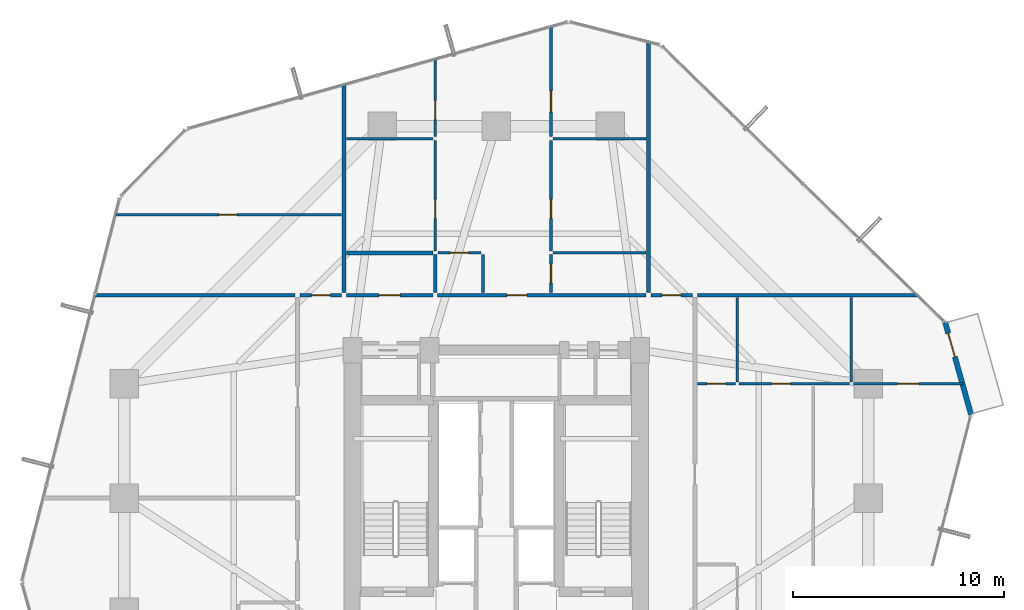
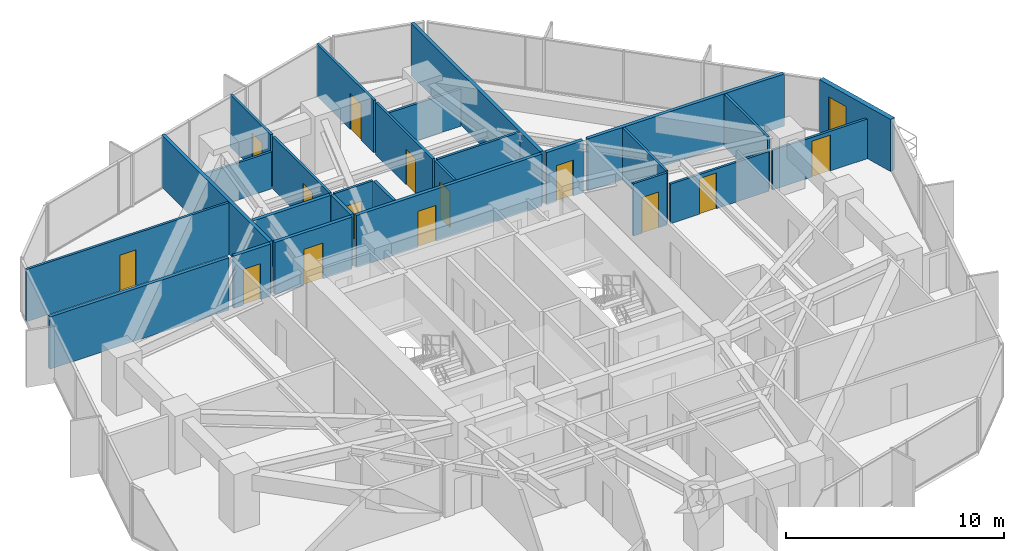
# One storey, part 36 of 39: 27 walls, 15 doors, 15 openings.
"""IFC4 building model written with IfcOpenShell, lengths in metres."""

import ifcopenshell
import ifcopenshell.guid

model = None  # the IFC model being written
_history = None  # IfcOwnerHistory: only IFC2X3 demands one
_inside = {}  # id of a spatial element -> (the spatial element, [elements in it])
_under = {}  # id of a project, library or spatial element -> (it, [spatial elements below it])
_declared = {}  # id of a project -> (the project, [libraries it declares])
_typed = {}  # id of a type object -> (the type object, [elements of that type])
_made_of = {}  # id of a material, layer set ... -> (it, [elements and type objects made of it])


def new_model(schema):
    """Start an empty IFC model of exactly this schema.

    Asked for "IFC4X3", IfcOpenShell would pick the latest addendum, in which some entities
    have other attributes; the version numbers below select the first issue.
    IFC2X3 requires an IfcOwnerHistory on every rooted entity: one is made here for all.
    """
    global model, _history
    if schema == "IFC4X3":
        model = ifcopenshell.file(schema_version=(4, 3, 0, 0))
    else:
        model = ifcopenshell.file(schema=schema)
    _inside.clear()
    _under.clear()
    _declared.clear()
    _typed.clear()
    _made_of.clear()
    _history = None
    if model.schema == "IFC2X3":
        org = make("IfcOrganization", Name="unknown")
        user = make(
            "IfcPersonAndOrganization",
            ThePerson=make("IfcPerson", FamilyName="unknown"),
            TheOrganization=org,
        )
        app = make(
            "IfcApplication",
            ApplicationDeveloper=org,
            Version="unknown",
            ApplicationFullName="unknown",
            ApplicationIdentifier="unknown",
        )
        _history = make(
            "IfcOwnerHistory",
            OwningUser=user,
            OwningApplication=app,
            ChangeAction="ADDED",
            CreationDate=0,
        )
    return model


def make(cls, **values):
    """One entity of the class cls with the attributes given. An attribute that is None is left unset."""
    return model.create_entity(
        cls, **{name: value for name, value in values.items() if value is not None}
    )


def rooted(cls, **values):
    """An entity with a GlobalId (a new one), such as an element, a storey or a relation."""
    return make(cls, GlobalId=ifcopenshell.guid.new(), OwnerHistory=_history, **values)


def si_unit(unit_type, name, prefix=None):
    """IfcSIUnit, for example si_unit("LENGTHUNIT", "METRE", prefix="MILLI")."""
    return make("IfcSIUnit", UnitType=unit_type, Prefix=prefix, Name=name)


def assignment(units):
    """IfcUnitAssignment: the units of a project."""
    return None if units is None else make("IfcUnitAssignment", Units=units)


def point(xyz):
    """IfcCartesianPoint."""
    return None if xyz is None else make("IfcCartesianPoint", Coordinates=xyz)


def direction(xyz):
    """IfcDirection."""
    return None if xyz is None else make("IfcDirection", DirectionRatios=xyz)


def frame(location, z_axis=None, x_axis=None):
    """IfcAxis2Placement3D, a coordinate frame: its origin and axes. An axis left out is left unset."""
    return make(
        "IfcAxis2Placement3D",
        Location=point(location),
        Axis=direction(z_axis),
        RefDirection=direction(x_axis),
    )


def frame_2d(location, x_axis=None):
    """IfcAxis2Placement2D, a coordinate frame in the plane: its origin and x axis."""
    return make(
        "IfcAxis2Placement2D", Location=point(location), RefDirection=direction(x_axis)
    )


def origin():
    """The frame at (0, 0, 0) with its axes left unset."""
    return frame((0.0, 0.0, 0.0))


def place(relative_to, where):
    """IfcLocalPlacement: puts the frame where relative to a parent placement (None: the world)."""
    return make(
        "IfcLocalPlacement", PlacementRelTo=relative_to, RelativePlacement=where
    )


def context(
    kind, dimensions, precision=None, world=None, true_north=None, identifier=None
):
    """IfcGeometricRepresentationContext, for example the 3D "Model" context."""
    return make(
        "IfcGeometricRepresentationContext",
        ContextIdentifier=identifier,
        ContextType=kind,
        CoordinateSpaceDimension=dimensions,
        Precision=precision,
        WorldCoordinateSystem=world,
        TrueNorth=true_north,
    )


def subcontext(parent, identifier, kind, view, scale=None):
    """IfcGeometricRepresentationSubContext, for example "Body" below "Model"."""
    return make(
        "IfcGeometricRepresentationSubContext",
        ContextIdentifier=identifier,
        ContextType=kind,
        ParentContext=parent,
        TargetScale=scale,
        TargetView=view,
    )


def project(units=None, contexts=None):
    """IfcProject with its units and contexts."""
    return rooted(
        "IfcProject",
        Name="project",
        RepresentationContexts=contexts,
        UnitsInContext=assignment(units),
    )


def spatial(cls, under=None, at=None, **own):
    """A site, building, storey or space (cls), placed at a placement, below another one or the project."""
    s = rooted(cls, ObjectPlacement=at, **own)
    if under is not None:
        _under.setdefault(under.id(), (under, []))[1].append(s)
    return s


def profile(cls, at=None, kind="AREA", **sizes):
    """A parametric profile (cls). Its sizes go by their IFC names, for example OverallWidth=200.0."""
    return make(cls, ProfileType=kind, Position=at, **sizes)


def rectangle(**sizes):
    """IfcRectangleProfileDef."""
    return profile("IfcRectangleProfileDef", **sizes)


def extrude(swept, where, along, depth):
    """IfcExtrudedAreaSolid: the profile swept, set in the frame where, extruded along a direction by depth."""
    return make(
        "IfcExtrudedAreaSolid",
        SweptArea=swept,
        Position=where,
        ExtrudedDirection=direction(along),
        Depth=depth,
    )


def shape(context_of_items, identifier, shape_type, items):
    """IfcShapeRepresentation: the items that make up one representation, for example the "Body"."""
    return make(
        "IfcShapeRepresentation",
        ContextOfItems=context_of_items,
        RepresentationIdentifier=identifier,
        RepresentationType=shape_type,
        Items=items,
    )


def source(mapping_origin, context_of_items, identifier, shape_type, items):
    """IfcRepresentationMap: a shape defined once, which mapped items show again and again."""
    return make(
        "IfcRepresentationMap",
        MappingOrigin=mapping_origin,
        MappedRepresentation=shape(context_of_items, identifier, shape_type, items),
    )


def transform(
    local_origin,
    x_axis=None,
    y_axis=None,
    z_axis=None,
    scale=None,
    scale2=None,
    scale3=None,
    uniform=True,
):
    """IfcCartesianTransformationOperator3D, or its non-uniform kind. x_axis, y_axis, z_axis: its Axis1, 2, 3."""
    if uniform:
        return make(
            "IfcCartesianTransformationOperator3D",
            Axis1=direction(x_axis),
            Axis2=direction(y_axis),
            LocalOrigin=point(local_origin),
            Scale=scale,
            Axis3=direction(z_axis),
        )
    return make(
        "IfcCartesianTransformationOperator3DnonUniform",
        Axis1=direction(x_axis),
        Axis2=direction(y_axis),
        LocalOrigin=point(local_origin),
        Scale=scale,
        Axis3=direction(z_axis),
        Scale2=scale2,
        Scale3=scale3,
    )


def mapped(mapping_source, mapping_target):
    """IfcMappedItem: shows the shape of a source again, moved by a transform."""
    return make(
        "IfcMappedItem", MappingSource=mapping_source, MappingTarget=mapping_target
    )


def material(Name=None, Category=None):
    """IfcMaterial."""
    return make("IfcMaterial", Name=Name, Category=Category)


def layer(
    of_material, thickness, ventilated=None, Name=None, Category=None, Priority=None
):
    """IfcMaterialLayer: one layer of a wall or slab, of a material (None: an air gap)."""
    return make(
        "IfcMaterialLayer",
        Material=of_material,
        LayerThickness=thickness,
        IsVentilated=ventilated,
        Name=Name,
        Category=Category,
        Priority=Priority,
    )


def layer_set(layers, Name=None):
    """IfcMaterialLayerSet."""
    return make("IfcMaterialLayerSet", MaterialLayers=layers, LayerSetName=Name)


def made_of(thing, what):
    """Note that an element or type object is made of a material, layer set ...; save() writes the relation."""
    if what is not None:
        _made_of.setdefault(what.id(), (what, []))[1].append(thing)
    return thing


def type_object(cls, material=None, **own):
    """A type object (cls), such as IfcWallType, which elements share."""
    return made_of(rooted(cls, **own), material)


def element(
    cls,
    number,
    at=None,
    inside=None,
    cuts=None,
    type_object=None,
    material=None,
    context=None,
    identifier="Body",
    shape_type=None,
    held_by="IfcProductDefinitionShape",
    body=None,
    shapes=None,
    **own,
):
    """One element of the class cls, such as IfcWall. Its Tag is "e" and its number.

    at: its placement. inside: the storey or other place that contains it. cuts: it is an
    opening in that element (IfcRelVoidsElement). A single representation is given by context,
    identifier, shape_type and body (its items); several are given by shapes. held_by: the class
    of the entity that holds the representations. save() writes the other relations.
    """
    e = rooted(cls, Tag="e%d" % number, ObjectPlacement=at, **own)
    if body is not None:
        shapes = [shape(context, identifier, shape_type, body)]
    if shapes is not None:
        e.Representation = make(held_by, Representations=shapes)
    if inside is not None:
        _inside.setdefault(inside.id(), (inside, []))[1].append(e)
    if cuts is not None:
        rooted(
            "IfcRelVoidsElement", RelatingBuildingElement=cuts, RelatedOpeningElement=e
        )
    if type_object is not None:
        _typed.setdefault(type_object.id(), (type_object, []))[1].append(e)
    return made_of(e, material)


def fill(opening, filler):
    """IfcRelFillsElement: the door or window that sits in an opening."""
    return rooted(
        "IfcRelFillsElement",
        RelatingOpeningElement=opening,
        RelatedBuildingElement=filler,
    )


def aggregate(whole, parts):
    """IfcRelAggregates: a whole, such as a stair, and the parts it consists of."""
    return rooted("IfcRelAggregates", RelatingObject=whole, RelatedObjects=parts)


def save(model, path):
    """Write the relations noted so far, then the file.

    IfcRelAggregates (storeys below a building ...), IfcRelContainedInSpatialStructure (elements
    in a storey), IfcRelDefinesByType, IfcRelAssociatesMaterial and IfcRelDeclares: one each for
    every whole, place, type object, material and project.
    """
    for whole, parts in _under.values():
        aggregate(whole, parts)
    for where, things in _inside.values():
        rooted(
            "IfcRelContainedInSpatialStructure",
            RelatedElements=things,
            RelatingStructure=where,
        )
    for kind, things in _typed.values():
        rooted("IfcRelDefinesByType", RelatedObjects=things, RelatingType=kind)
    for what, things in _made_of.values():
        rooted("IfcRelAssociatesMaterial", RelatedObjects=things, RelatingMaterial=what)
    for by, libraries in _declared.values():
        rooted("IfcRelDeclares", RelatingContext=by, RelatedDefinitions=libraries)
    model.write(path)


model = new_model("IFC4")

# Units and contexts
model_context = context("Model", 3, precision=1e-05, world=origin(), true_north=direction((0.0, 1.0)))
body_context = subcontext(model_context, "Body", "Model", "MODEL_VIEW")
ifc_project = project(units=[si_unit("LENGTHUNIT", "METRE"), si_unit("AREAUNIT", "SQUARE_METRE"), si_unit("VOLUMEUNIT", "CUBIC_METRE"), si_unit("PLANEANGLEUNIT", "RADIAN"), si_unit("MASSUNIT", "GRAM", prefix="KILO")], contexts=[model_context])

# Site, building, storey
site_placement = place(None, origin())
site = spatial("IfcSite", under=ifc_project, at=site_placement, CompositionType="ELEMENT")
building_placement = place(site_placement, origin())
building = spatial("IfcBuilding", under=site, at=building_placement, Name="Veraguas Prism Commons", CompositionType="ELEMENT")
storey_placement = place(building_placement, frame((0.0, 0.0, 77.10009765625)))
storey = spatial("IfcBuildingStorey", under=building, at=storey_placement, Name="L21", CompositionType="ELEMENT", Elevation=77.10009765625)

# Walls
ifc_material_1 = material(Name="Autoclaved aerated masonry block 10 MPa", Category="masonry")
ifc_layer_1 = layer(ifc_material_1, 0.179931640625, Name="Corridor and Inter-Tenancy Partition 180", Category="masonry")
ifc_layer_set_1 = layer_set([ifc_layer_1], Name="Autoclaved aerated masonry block 10 MPa")
wall_type_1 = type_object("IfcWallType", Name="Corridor and Inter-Tenancy Partition 180", PredefinedType="PARTITIONING", material=ifc_layer_set_1)
wall_1_placement = place(storey_placement, frame((16.800048828125, 33.719970703125, 0.0), z_axis=(0.0, 0.0, 1.0), x_axis=(0.0, 1.0, 0.0)))
element("IfcWall", 1, at=wall_1_placement, inside=storey, type_object=wall_type_1, Name="WL-L21-PT017", PredefinedType="PARTITIONING", context=body_context, shape_type="SweptSolid", body=[
    extrude(rectangle(XDim=9.8779296875, YDim=0.179931640625, at=frame_2d((4.93896484375, 0.0))), origin(), (0.0, 0.0, 1.0), 2.929931640625),
])
wall_2_placement = place(storey_placement, frame((31.199951171875, 33.719970703125, 0.0), z_axis=(0.0, 0.0, 1.0), x_axis=(0.0, 1.0, 0.0)))
element("IfcWall", 2, at=wall_2_placement, inside=storey, type_object=wall_type_1, Name="WL-L21-PT018", PredefinedType="PARTITIONING", context=body_context, shape_type="SweptSolid", body=[
    extrude(rectangle(XDim=11.90185546875, YDim=0.179931640625, at=frame_2d((5.950927734375, 0.0))), origin(), (0.0, 0.0, 1.0), 2.929931640625),
])

# Wall, opening, door
wall_3_placement = place(storey_placement, frame((16.909912109375, 33.60009765625, 0.0), z_axis=(0.0, 0.0, 1.0), x_axis=(1.0, 0.0, 0.0)))
wall_3 = element("IfcWall", 3, at=wall_3_placement, inside=storey, type_object=wall_type_1, Name="WL-L21-PT019", PredefinedType="PARTITIONING", context=body_context, shape_type="SweptSolid", body=[
    extrude(rectangle(XDim=4.10009765625, YDim=0.179931640625, at=frame_2d((2.050048828125, 0.0))), origin(), (0.0, 0.0, 1.0), 2.929931640625),
])
opening_1_placement = place(wall_3_placement, frame((1.550048828125, 0.0, 0.0)))
opening_1 = element("IfcOpeningElement", 4, at=opening_1_placement, cuts=wall_3, Name="Opening DR-13", PredefinedType="OPENING", context=body_context, shape_type="SweptSolid", body=[
    extrude(rectangle(XDim=1.0, YDim=2.010009765625, at=frame_2d((0.5, 1.0048828125))), frame((0.0, 0.099853515625, 0.0), z_axis=(0.0, -1.0, 0.0), x_axis=(1.0, 0.0, 0.0)), (0.0, 0.0, 1.0), 0.199951171875),
])
ifc_material_2 = material(Name="Steel fire-rated door assembly", Category="steel")
door_type_1 = type_object("IfcDoorType", Name="Core Accessible WC and Clinic Fire Door 1000x2010", OperationType="NOTDEFINED", PredefinedType="DOOR", material=ifc_material_2)
shared_shape_1 = source(origin(), body_context, "Body", "SweptSolid", [
    extrude(rectangle(XDim=1.0, YDim=2.010009765625, at=frame_2d((0.5, 1.0048828125))), frame((0.0, 0.02490234375, 0.0), z_axis=(0.0, -1.0, 0.0), x_axis=(1.0, 0.0, 0.0)), (0.0, 0.0, 1.0), 0.050048828125),
])
door_1_placement = place(opening_1_placement, origin())
door_1 = element("IfcDoor", 5, at=door_1_placement, inside=storey, type_object=door_type_1, Name="Residents Study Alcove 21B Door", OperationType="SINGLE_SWING_LEFT", OverallHeight=2.010009765625, OverallWidth=1.0, PredefinedType="DOOR", context=body_context, shape_type="MappedRepresentation", body=[
    mapped(shared_shape_1, transform((0.0, 0.0, 0.0), scale=1.0)),
])
fill(opening_1, door_1)

wall_4_placement = place(storey_placement, frame((21.22998046875, 33.60009765625, 0.0), z_axis=(0.0, 0.0, 1.0), x_axis=(1.0, 0.0, 0.0)))
wall_4 = element("IfcWall", 6, at=wall_4_placement, inside=storey, type_object=wall_type_1, Name="WL-L21-PT020", PredefinedType="PARTITIONING", context=body_context, shape_type="SweptSolid", body=[
    extrude(rectangle(XDim=9.860107421875, YDim=0.179931640625, at=frame_2d((4.93017578125, 0.0))), origin(), (0.0, 0.0, 1.0), 2.929931640625),
])
opening_2_placement = place(wall_4_placement, frame((3.27587890625, 0.0, 0.0)))
opening_2 = element("IfcOpeningElement", 7, at=opening_2_placement, cuts=wall_4, Name="Opening DR-01", PredefinedType="OPENING", context=body_context, shape_type="SweptSolid", body=[
    extrude(rectangle(XDim=0.949951171875, YDim=2.02001953125, at=frame_2d((0.47509765625, 1.010009765625))), frame((0.0, 0.099853515625, 0.0), z_axis=(0.0, -1.0, 0.0), x_axis=(1.0, 0.0, 0.0)), (0.0, 0.0, 1.0), 0.199951171875),
])
ifc_material_3 = material(Name="Anodised aluminium EN AW-6063 T6", Category="aluminium")
door_type_2 = type_object("IfcDoorType", Name="Apartment Entrance Fire Door 950x2020", OperationType="NOTDEFINED", PredefinedType="DOOR", material=ifc_material_3)
shared_shape_2 = source(origin(), body_context, "Body", "SweptSolid", [
    extrude(rectangle(XDim=0.949951171875, YDim=2.02001953125, at=frame_2d((0.47509765625, 1.010009765625))), frame((0.0, 0.02490234375, 0.0), z_axis=(0.0, -1.0, 0.0), x_axis=(1.0, 0.0, 0.0)), (0.0, 0.0, 1.0), 0.050048828125),
])
door_2_placement = place(opening_2_placement, origin())
door_2 = element("IfcDoor", 8, at=door_2_placement, inside=storey, type_object=door_type_2, Name="Flat 21B Entrance Door", OperationType="SINGLE_SWING_RIGHT", OverallHeight=2.02001953125, OverallWidth=0.949951171875, PredefinedType="DOOR", context=body_context, shape_type="MappedRepresentation", body=[
    mapped(shared_shape_2, transform((0.0, 0.0, 0.0), scale=1.0)),
])
fill(opening_2, door_2)

# Walls
wall_5_placement = place(storey_placement, frame((16.919921875, 35.60009765625, 0.0), z_axis=(0.0, 0.0, 1.0), x_axis=(1.0, 0.0, 0.0)))
element("IfcWall", 9, at=wall_5_placement, inside=storey, type_object=wall_type_1, Name="WL-L21-PT025", PredefinedType="PARTITIONING", context=body_context, shape_type="SweptSolid", body=[
    extrude(rectangle(XDim=4.10009765625, YDim=0.179931640625, at=frame_2d((2.050048828125, 0.0))), origin(), (0.0, 0.0, 1.0), 2.929931640625),
])
wall_6_placement = place(storey_placement, frame((21.1201171875, 33.719970703125, 0.0), z_axis=(0.0, 0.0, 1.0), x_axis=(0.0, 1.0, 0.0)))
element("IfcWall", 10, at=wall_6_placement, inside=storey, type_object=wall_type_1, Name="WL-L21-PT026", PredefinedType="PARTITIONING", context=body_context, shape_type="SweptSolid", body=[
    extrude(rectangle(XDim=1.800048828125, YDim=0.179931640625, at=frame_2d((0.89990234375, 0.0))), origin(), (0.0, 0.0, 1.0), 2.929931640625),
])
wall_7_placement = place(storey_placement, frame((14.47998046875, 33.60009765625, 0.0), z_axis=(0.0, 0.0, 1.0), x_axis=(-1.0, 0.0, 0.0)))
element("IfcWall", 11, at=wall_7_placement, inside=storey, type_object=wall_type_1, Name="WL-L21-PT034", PredefinedType="PARTITIONING", context=body_context, shape_type="SweptSolid", body=[
    extrude(rectangle(XDim=9.511474609375, YDim=0.179931640625, at=frame_2d((4.755859375, 0.0))), origin(), (0.0, 0.0, 1.0), 2.929931640625),
])
wall_8_placement = place(storey_placement, frame((33.52001953125, 33.60009765625, 0.0), z_axis=(0.0, 0.0, 1.0), x_axis=(1.0, 0.0, 0.0)))
element("IfcWall", 12, at=wall_8_placement, inside=storey, type_object=wall_type_1, Name="WL-L21-PT045", PredefinedType="PARTITIONING", context=body_context, shape_type="SweptSolid", body=[
    extrude(rectangle(XDim=10.441162109375, YDim=0.179931640625, at=frame_2d((5.220703125, 0.0))), origin(), (0.0, 0.0, 1.0), 2.929931640625),
])

# Wall, opening, door
wall_9_placement = place(storey_placement, frame((14.719970703125, 33.60009765625, 0.0), z_axis=(0.0, 0.0, 1.0), x_axis=(1.0, 0.0, 0.0)))
wall_9 = element("IfcWall", 13, at=wall_9_placement, inside=storey, type_object=wall_type_1, Name="WL-L21-PT064", PredefinedType="PARTITIONING", context=body_context, shape_type="SweptSolid", body=[
    extrude(rectangle(XDim=1.9599609375, YDim=0.179931640625, at=frame_2d((0.97998046875, 0.0))), origin(), (0.0, 0.0, 1.0), 2.929931640625),
])
opening_3_placement = place(wall_9_placement, frame((0.530029296875, 0.0, 0.0)))
opening_3 = element("IfcOpeningElement", 14, at=opening_3_placement, cuts=wall_9, Name="Opening DR-14", PredefinedType="OPENING", context=body_context, shape_type="SweptSolid", body=[
    extrude(rectangle(XDim=0.89990234375, YDim=2.010009765625, at=frame_2d((0.449951171875, 1.0048828125))), frame((0.0, 0.099853515625, 0.0), z_axis=(0.0, -1.0, 0.0), x_axis=(1.0, 0.0, 0.0)), (0.0, 0.0, 1.0), 0.199951171875),
])
door_type_3 = type_object("IfcDoorType", Name="Core Service Room Fire Door 900x2010", OperationType="NOTDEFINED", PredefinedType="DOOR", material=ifc_material_2)
shared_shape_3 = source(origin(), body_context, "Body", "SweptSolid", [
    extrude(rectangle(XDim=0.89990234375, YDim=2.010009765625, at=frame_2d((0.449951171875, 1.0048828125))), frame((0.0, 0.02490234375, 0.0), z_axis=(0.0, -1.0, 0.0), x_axis=(1.0, 0.0, 0.0)), (0.0, 0.0, 1.0), 0.050048828125),
])
door_3_placement = place(opening_3_placement, origin())
door_3 = element("IfcDoor", 15, at=door_3_placement, inside=storey, type_object=door_type_3, Name="Community Co-op Kitchen Door", OperationType="SINGLE_SWING_LEFT", OverallHeight=2.010009765625, OverallWidth=0.89990234375, PredefinedType="DOOR", context=body_context, shape_type="MappedRepresentation", body=[
    mapped(shared_shape_3, transform((0.0, 0.0, 0.0), scale=1.0)),
])
fill(opening_3, door_3)

wall_10_placement = place(storey_placement, frame((31.320068359375, 33.60009765625, 0.0), z_axis=(0.0, 0.0, 1.0), x_axis=(1.0, 0.0, 0.0)))
wall_10 = element("IfcWall", 16, at=wall_10_placement, inside=storey, type_object=wall_type_1, Name="WL-L21-PT066", PredefinedType="PARTITIONING", context=body_context, shape_type="SweptSolid", body=[
    extrude(rectangle(XDim=1.9599609375, YDim=0.179931640625, at=frame_2d((0.97998046875, 0.0))), origin(), (0.0, 0.0, 1.0), 2.929931640625),
])
opening_4_placement = place(wall_10_placement, frame((0.530029296875, 0.0, 0.0)))
opening_4 = element("IfcOpeningElement", 17, at=opening_4_placement, cuts=wall_10, Name="Opening DR-14", PredefinedType="OPENING", context=body_context, shape_type="SweptSolid", body=[
    extrude(rectangle(XDim=0.89990234375, YDim=2.010009765625, at=frame_2d((0.449951171875, 1.0048828125))), frame((0.0, 0.099853515625, 0.0), z_axis=(0.0, -1.0, 0.0), x_axis=(1.0, 0.0, 0.0)), (0.0, 0.0, 1.0), 0.199951171875),
])
door_4_placement = place(opening_4_placement, origin())
door_4 = element("IfcDoor", 18, at=door_4_placement, inside=storey, type_object=door_type_3, Name="Residents Cycle and Pram Store NE Door", OperationType="SINGLE_SWING_LEFT", OverallHeight=2.010009765625, OverallWidth=0.89990234375, PredefinedType="DOOR", context=body_context, shape_type="MappedRepresentation", body=[
    mapped(shared_shape_3, transform((0.0, 0.0, 0.0), scale=1.0)),
])
fill(opening_4, door_4)

ifc_material_4 = material(Name="Precast concrete C40/50", Category="concrete")
ifc_layer_2 = layer(ifc_material_4, 0.25, Name="External Loggia and Portal Wall 250", Category="concrete")
ifc_layer_set_2 = layer_set([ifc_layer_2], Name="Precast concrete C40/50")
wall_type_2 = type_object("IfcWallType", Name="External Loggia and Portal Wall 250", PredefinedType="SOLIDWALL", material=ifc_layer_set_2)
wall_11_placement = place(storey_placement, frame((46.47509765625, 27.930419921875, 0.0), z_axis=(0.0, 0.0, 1.0), x_axis=(-0.270254656395, 0.962788876492, 0.0)))
wall_11 = element("IfcWall", 19, at=wall_11_placement, inside=storey, type_object=wall_type_2, Name="Corner Loggia Wall L21-C1", PredefinedType="SOLIDWALL", context=body_context, shape_type="SweptSolid", body=[
    extrude(rectangle(XDim=4.580078125, YDim=0.25, at=frame_2d((2.2900390625, 0.0))), origin(), (0.0, 0.0, 1.0), 2.929931640625),
])
opening_5_placement = place(wall_11_placement, frame((2.860107421875, 0.0, 0.0)))
opening_5 = element("IfcOpeningElement", 20, at=opening_5_placement, cuts=wall_11, Name="Opening DR-10", PredefinedType="OPENING", context=body_context, shape_type="SweptSolid", body=[
    extrude(rectangle(XDim=1.14990234375, YDim=2.25, at=frame_2d((0.574951171875, 1.125))), frame((0.0, 0.135009765625, 0.0), z_axis=(0.0, -1.0, 0.0), x_axis=(1.0, 0.0, 0.0)), (0.0, 0.0, 1.0), 0.27001953125),
])
door_type_4 = type_object("IfcDoorType", Name="Glazed Loggia and Terrace Door 1150x2250", OperationType="NOTDEFINED", PredefinedType="DOOR", material=ifc_material_3)
shared_shape_4 = source(origin(), body_context, "Body", "SweptSolid", [
    extrude(rectangle(XDim=1.14990234375, YDim=2.25, at=frame_2d((0.574951171875, 1.125))), frame((0.0, 0.02490234375, 0.0), z_axis=(0.0, -1.0, 0.0), x_axis=(1.0, 0.0, 0.0)), (0.0, 0.0, 1.0), 0.050048828125),
])
door_5_placement = place(opening_5_placement, frame((1.14990234375, 0.0, 0.0), z_axis=(0.0, 0.0, 1.0), x_axis=(-1.0, 0.0, 0.0)))
door_5 = element("IfcDoor", 21, at=door_5_placement, inside=storey, type_object=door_type_4, Name="Recessed Loggia Door L21-C1", OperationType="SINGLE_SWING_LEFT", OverallHeight=2.25, OverallWidth=1.14990234375, PredefinedType="DOOR", context=body_context, shape_type="MappedRepresentation", body=[
    mapped(shared_shape_4, transform((0.0, 0.0, 0.0), scale=1.0)),
])
fill(opening_5, door_5)

# Wall
ifc_material_5 = material(Name="Lightweight acoustic gypsum board")
ifc_layer_3 = layer(ifc_material_5, 0.125, Name="Internal Apartment Room Partition 125")
ifc_layer_set_3 = layer_set([ifc_layer_3], Name="Lightweight acoustic gypsum board")
wall_type_3 = type_object("IfcWallType", Name="Internal Apartment Room Partition 125", PredefinedType="PARTITIONING", material=ifc_layer_set_3)
wall_12_placement = place(storey_placement, frame((16.919921875, 41.0, 0.0), z_axis=(0.0, 0.0, 1.0), x_axis=(1.0, 0.0, 0.0)))
element("IfcWall", 22, at=wall_12_placement, inside=storey, type_object=wall_type_3, Name="WL-L21-PT021", PredefinedType="PARTITIONING", context=body_context, shape_type="SweptSolid", body=[
    extrude(rectangle(XDim=4.10009765625, YDim=0.125, at=frame_2d((2.050048828125, 0.0))), origin(), (0.0, 0.0, 1.0), 2.079833984375),
])

# Wall, opening, door
wall_13_placement = place(storey_placement, frame((21.1201171875, 41.10009765625, 0.0), z_axis=(0.0, 0.0, 1.0), x_axis=(0.0, 1.0, 0.0)))
wall_13 = element("IfcWall", 23, at=wall_13_placement, inside=storey, type_object=wall_type_3, Name="WL-L21-PT022", PredefinedType="PARTITIONING", context=body_context, shape_type="SweptSolid", body=[
    extrude(rectangle(XDim=3.710693359375, YDim=0.125, at=frame_2d((1.85546875, 0.0))), origin(), (0.0, 0.0, 1.0), 2.929931640625),
])
opening_6_placement = place(wall_13_placement, frame((0.802734375, 0.0, 0.0)))
opening_6 = element("IfcOpeningElement", 24, at=opening_6_placement, cuts=wall_13, Name="Opening DR-02", PredefinedType="OPENING", context=body_context, shape_type="SweptSolid", body=[
    extrude(rectangle(XDim=0.89990234375, YDim=2.010009765625, at=frame_2d((0.449951171875, 1.0048828125))), frame((0.0, 0.072509765625, 0.0), z_axis=(0.0, -1.0, 0.0), x_axis=(1.0, 0.0, 0.0)), (0.0, 0.0, 1.0), 0.14501953125),
])
ifc_material_6 = material(Name="Timber solid core hardwood", Category="wood")
door_type_5 = type_object("IfcDoorType", Name="Internal Habitable Room Door 900x2010", OperationType="NOTDEFINED", PredefinedType="DOOR", material=ifc_material_6)
door_6_placement = place(opening_6_placement, origin())
door_6 = element("IfcDoor", 25, at=door_6_placement, inside=storey, type_object=door_type_5, Name="Flat 21B Bedroom 3 Door", OperationType="SINGLE_SWING_LEFT", OverallHeight=2.010009765625, OverallWidth=0.89990234375, PredefinedType="DOOR", context=body_context, shape_type="MappedRepresentation", body=[
    mapped(shared_shape_3, transform((0.0, 0.0, 0.0), scale=1.0)),
])
fill(opening_6, door_6)

# Wall
wall_14_placement = place(storey_placement, frame((26.69189453125, 41.0, 0.0), z_axis=(0.0, 0.0, 1.0), x_axis=(1.0, 0.0, 0.0)))
element("IfcWall", 26, at=wall_14_placement, inside=storey, type_object=wall_type_3, Name="WL-L21-PT023", PredefinedType="PARTITIONING", context=body_context, shape_type="SweptSolid", body=[
    extrude(rectangle(XDim=4.38818359375, YDim=0.125, at=frame_2d((2.194091796875, 0.0))), origin(), (0.0, 0.0, 1.0), 2.079833984375),
])

# Wall, opening, door
wall_15_placement = place(storey_placement, frame((26.592041015625, 41.10009765625, 0.0), z_axis=(0.0, 0.0, 1.0), x_axis=(0.0, 1.0, 0.0)))
wall_15 = element("IfcWall", 27, at=wall_15_placement, inside=storey, type_object=wall_type_3, Name="WL-L21-PT024", PredefinedType="PARTITIONING", context=body_context, shape_type="SweptSolid", body=[
    extrude(rectangle(XDim=5.24658203125, YDim=0.125, at=frame_2d((2.623291015625, 0.0))), origin(), (0.0, 0.0, 1.0), 2.929931640625),
])
opening_7_placement = place(wall_15_placement, frame((1.16162109375, 0.0, 0.0)))
opening_7 = element("IfcOpeningElement", 28, at=opening_7_placement, cuts=wall_15, Name="Opening DR-04", PredefinedType="OPENING", context=body_context, shape_type="SweptSolid", body=[
    extrude(rectangle(XDim=1.0, YDim=2.010009765625, at=frame_2d((0.5, 1.0048828125))), frame((0.0, 0.072509765625, 0.0), z_axis=(0.0, -1.0, 0.0), x_axis=(1.0, 0.0, 0.0)), (0.0, 0.0, 1.0), 0.14501953125),
])
door_type_6 = type_object("IfcDoorType", Name="Accessible WC and Clinic Exam Door 1000x2010", OperationType="NOTDEFINED", PredefinedType="DOOR", material=ifc_material_3)
door_7_placement = place(opening_7_placement, origin())
door_7 = element("IfcDoor", 29, at=door_7_placement, inside=storey, type_object=door_type_6, Name="Flat 21B Study Door", OperationType="SINGLE_SWING_RIGHT", OverallHeight=2.010009765625, OverallWidth=1.0, PredefinedType="DOOR", context=body_context, shape_type="MappedRepresentation", body=[
    mapped(shared_shape_1, transform((0.0, 0.0, 0.0), scale=1.0)),
])
fill(opening_7, door_7)

wall_16_placement = place(storey_placement, frame((21.1201171875, 35.699951171875, 0.0), z_axis=(0.0, 0.0, 1.0), x_axis=(0.0, 1.0, 0.0)))
wall_16 = element("IfcWall", 30, at=wall_16_placement, inside=storey, type_object=wall_type_3, Name="WL-L21-PT027", PredefinedType="PARTITIONING", context=body_context, shape_type="SweptSolid", body=[
    extrude(rectangle(XDim=5.219970703125, YDim=0.125, at=frame_2d((2.60986328125, 0.0))), origin(), (0.0, 0.0, 1.0), 2.929931640625),
])
opening_8_placement = place(wall_16_placement, frame((1.53271484375, 0.0, 0.0)))
opening_8 = element("IfcOpeningElement", 31, at=opening_8_placement, cuts=wall_16, Name="Opening DR-02", PredefinedType="OPENING", context=body_context, shape_type="SweptSolid", body=[
    extrude(rectangle(XDim=0.89990234375, YDim=2.010009765625, at=frame_2d((0.449951171875, 1.0048828125))), frame((0.0, 0.072509765625, 0.0), z_axis=(0.0, -1.0, 0.0), x_axis=(1.0, 0.0, 0.0)), (0.0, 0.0, 1.0), 0.14501953125),
])
door_8_placement = place(opening_8_placement, origin())
door_8 = element("IfcDoor", 32, at=door_8_placement, inside=storey, type_object=door_type_5, Name="Flat 21B Bedroom 2 Door", OperationType="SINGLE_SWING_LEFT", OverallHeight=2.010009765625, OverallWidth=0.89990234375, PredefinedType="DOOR", context=body_context, shape_type="MappedRepresentation", body=[
    mapped(shared_shape_3, transform((0.0, 0.0, 0.0), scale=1.0)),
])
fill(opening_8, door_8)

wall_17_placement = place(storey_placement, frame((21.239990234375, 35.60009765625, 0.0), z_axis=(0.0, 0.0, 1.0), x_axis=(1.0, 0.0, 0.0)))
wall_17 = element("IfcWall", 33, at=wall_17_placement, inside=storey, type_object=wall_type_3, Name="WL-L21-PT029", PredefinedType="PARTITIONING", context=body_context, shape_type="SweptSolid", body=[
    extrude(rectangle(XDim=2.050048828125, YDim=0.125, at=frame_2d((1.02490234375, 0.0))), origin(), (0.0, 0.0, 1.0), 2.929931640625),
])
opening_9_placement = place(wall_17_placement, frame((0.594970703125, 0.0, 0.0)))
opening_9 = element("IfcOpeningElement", 34, at=opening_9_placement, cuts=wall_17, Name="Opening DR-03", PredefinedType="OPENING", context=body_context, shape_type="SweptSolid", body=[
    extrude(rectangle(XDim=0.860107421875, YDim=2.010009765625, at=frame_2d((0.43017578125, 1.0048828125))), frame((0.0, 0.072509765625, 0.0), z_axis=(0.0, -1.0, 0.0), x_axis=(1.0, 0.0, 0.0)), (0.0, 0.0, 1.0), 0.14501953125),
])
ifc_material_7 = material(Name="Timber moisture-resistant leaf", Category="wood")
door_type_7 = type_object("IfcDoorType", Name="Internal Bathroom Door 860x2010", OperationType="NOTDEFINED", PredefinedType="DOOR", material=ifc_material_7)
shared_shape_5 = source(origin(), body_context, "Body", "SweptSolid", [
    extrude(rectangle(XDim=0.860107421875, YDim=2.010009765625, at=frame_2d((0.43017578125, 1.0048828125))), frame((0.0, 0.02490234375, 0.0), z_axis=(0.0, -1.0, 0.0), x_axis=(1.0, 0.0, 0.0)), (0.0, 0.0, 1.0), 0.050048828125),
])
door_9_placement = place(opening_9_placement, origin())
door_9 = element("IfcDoor", 35, at=door_9_placement, inside=storey, type_object=door_type_7, Name="Flat 21B Bathroom Door", OperationType="SINGLE_SWING_RIGHT", OverallHeight=2.010009765625, OverallWidth=0.860107421875, PredefinedType="DOOR", context=body_context, shape_type="MappedRepresentation", body=[
    mapped(shared_shape_5, transform((0.0, 0.0, 0.0), scale=1.0)),
])
fill(opening_9, door_9)

wall_18_placement = place(storey_placement, frame((26.592041015625, 33.719970703125, 0.0), z_axis=(0.0, 0.0, 1.0), x_axis=(0.0, 1.0, 0.0)))
wall_18 = element("IfcWall", 36, at=wall_18_placement, inside=storey, type_object=wall_type_3, Name="WL-L21-PT030", PredefinedType="PARTITIONING", context=body_context, shape_type="SweptSolid", body=[
    extrude(rectangle(XDim=1.800048828125, YDim=0.125, at=frame_2d((0.89990234375, 0.0))), origin(), (0.0, 0.0, 1.0), 2.929931640625),
])
opening_10_placement = place(wall_18_placement, frame((0.449951171875, 0.0, 0.0)))
opening_10 = element("IfcOpeningElement", 37, at=opening_10_placement, cuts=wall_18, Name="Opening DR-02", PredefinedType="OPENING", context=body_context, shape_type="SweptSolid", body=[
    extrude(rectangle(XDim=0.89990234375, YDim=2.010009765625, at=frame_2d((0.449951171875, 1.0048828125))), frame((0.0, 0.072509765625, 0.0), z_axis=(0.0, -1.0, 0.0), x_axis=(1.0, 0.0, 0.0)), (0.0, 0.0, 1.0), 0.14501953125),
])
door_10_placement = place(opening_10_placement, origin())
door_10 = element("IfcDoor", 38, at=door_10_placement, inside=storey, type_object=door_type_5, Name="Flat 21B Kitchen Door", OperationType="SINGLE_SWING_LEFT", OverallHeight=2.010009765625, OverallWidth=0.89990234375, PredefinedType="DOOR", context=body_context, shape_type="MappedRepresentation", body=[
    mapped(shared_shape_3, transform((0.0, 0.0, 0.0), scale=1.0)),
])
fill(opening_10, door_10)

# Wall
wall_19_placement = place(storey_placement, frame((26.69189453125, 35.60009765625, 0.0), z_axis=(0.0, 0.0, 1.0), x_axis=(1.0, 0.0, 0.0)))
element("IfcWall", 39, at=wall_19_placement, inside=storey, type_object=wall_type_3, Name="WL-L21-PT031", PredefinedType="PARTITIONING", context=body_context, shape_type="SweptSolid", body=[
    extrude(rectangle(XDim=4.38818359375, YDim=0.125, at=frame_2d((2.194091796875, 0.0))), origin(), (0.0, 0.0, 1.0), 2.929931640625),
])

# Wall, opening, door
wall_20_placement = place(storey_placement, frame((26.592041015625, 35.699951171875, 0.0), z_axis=(0.0, 0.0, 1.0), x_axis=(0.0, 1.0, 0.0)))
wall_20 = element("IfcWall", 40, at=wall_20_placement, inside=storey, type_object=wall_type_3, Name="WL-L21-PT032", PredefinedType="PARTITIONING", context=body_context, shape_type="SweptSolid", body=[
    extrude(rectangle(XDim=5.219970703125, YDim=0.125, at=frame_2d((2.60986328125, 0.0))), origin(), (0.0, 0.0, 1.0), 2.929931640625),
])
opening_11_placement = place(wall_20_placement, frame((1.53271484375, 0.0, 0.0)))
opening_11 = element("IfcOpeningElement", 41, at=opening_11_placement, cuts=wall_20, Name="Opening DR-02", PredefinedType="OPENING", context=body_context, shape_type="SweptSolid", body=[
    extrude(rectangle(XDim=0.89990234375, YDim=2.010009765625, at=frame_2d((0.449951171875, 1.0048828125))), frame((0.0, 0.072509765625, 0.0), z_axis=(0.0, -1.0, 0.0), x_axis=(1.0, 0.0, 0.0)), (0.0, 0.0, 1.0), 0.14501953125),
])
door_11_placement = place(opening_11_placement, origin())
door_11 = element("IfcDoor", 42, at=door_11_placement, inside=storey, type_object=door_type_5, Name="Flat 21B Bedroom 1 Door", OperationType="SINGLE_SWING_RIGHT", OverallHeight=2.010009765625, OverallWidth=0.89990234375, PredefinedType="DOOR", context=body_context, shape_type="MappedRepresentation", body=[
    mapped(shared_shape_3, transform((0.0, 0.0, 0.0), scale=1.0)),
])
fill(opening_11, door_11)

# Wall
wall_21_placement = place(storey_placement, frame((40.800048828125, 29.5, 0.0), z_axis=(0.0, 0.0, 1.0), x_axis=(0.0, 1.0, 0.0)))
element("IfcWall", 43, at=wall_21_placement, inside=storey, type_object=wall_type_3, Name="WL-L21-PT050", PredefinedType="PARTITIONING", context=body_context, shape_type="SweptSolid", body=[
    extrude(rectangle(XDim=3.97998046875, YDim=0.125, at=frame_2d((1.989990234375, 0.0))), origin(), (0.0, 0.0, 1.0), 2.929931640625),
])

# Wall, opening, door
wall_22_placement = place(storey_placement, frame((40.89990234375, 29.39990234375, 0.0), z_axis=(0.0, 0.0, 1.0), x_axis=(1.0, 0.0, 0.0)))
wall_22 = element("IfcWall", 44, at=wall_22_placement, inside=storey, type_object=wall_type_3, Name="WL-L21-PT051", PredefinedType="PARTITIONING", context=body_context, shape_type="SweptSolid", body=[
    extrude(rectangle(XDim=5.19384765625, YDim=0.125, at=frame_2d((2.596923828125, 0.0))), origin(), (0.0, 0.0, 1.0), 2.22900390625),
])
opening_12_placement = place(wall_22_placement, frame((2.096923828125, 0.0, 0.0)))
opening_12 = element("IfcOpeningElement", 45, at=opening_12_placement, cuts=wall_22, Name="Opening DR-04", PredefinedType="OPENING", context=body_context, shape_type="SweptSolid", body=[
    extrude(rectangle(XDim=1.0, YDim=2.010009765625, at=frame_2d((0.5, 1.0048828125))), frame((0.0, 0.072509765625, 0.0), z_axis=(0.0, -1.0, 0.0), x_axis=(1.0, 0.0, 0.0)), (0.0, 0.0, 1.0), 0.14501953125),
])
door_12_placement = place(opening_12_placement, origin())
door_12 = element("IfcDoor", 46, at=door_12_placement, inside=storey, type_object=door_type_6, Name="Flat 21C Study Door", OperationType="SINGLE_SWING_RIGHT", OverallHeight=2.010009765625, OverallWidth=1.0, PredefinedType="DOOR", context=body_context, shape_type="MappedRepresentation", body=[
    mapped(shared_shape_1, transform((0.0, 0.0, 0.0), scale=1.0)),
])
fill(opening_12, door_12)

wall_23_placement = place(storey_placement, frame((33.52001953125, 29.39990234375, 0.0), z_axis=(0.0, 0.0, 1.0), x_axis=(1.0, 0.0, 0.0)))
wall_23 = element("IfcWall", 47, at=wall_23_placement, inside=storey, type_object=wall_type_3, Name="WL-L21-PT058", PredefinedType="PARTITIONING", context=body_context, shape_type="SweptSolid", body=[
    extrude(rectangle(XDim=1.800048828125, YDim=0.125, at=frame_2d((0.89990234375, 0.0))), origin(), (0.0, 0.0, 1.0), 2.929931640625),
])
opening_13_placement = place(wall_23_placement, frame((0.449951171875, 0.0, 0.0)))
opening_13 = element("IfcOpeningElement", 48, at=opening_13_placement, cuts=wall_23, Name="Opening DR-02", PredefinedType="OPENING", context=body_context, shape_type="SweptSolid", body=[
    extrude(rectangle(XDim=0.89990234375, YDim=2.010009765625, at=frame_2d((0.449951171875, 1.0048828125))), frame((0.0, 0.072509765625, 0.0), z_axis=(0.0, -1.0, 0.0), x_axis=(1.0, 0.0, 0.0)), (0.0, 0.0, 1.0), 0.14501953125),
])
door_13_placement = place(opening_13_placement, origin())
door_13 = element("IfcDoor", 49, at=door_13_placement, inside=storey, type_object=door_type_5, Name="Flat 21C Kitchen Door", OperationType="SINGLE_SWING_RIGHT", OverallHeight=2.010009765625, OverallWidth=0.89990234375, PredefinedType="DOOR", context=body_context, shape_type="MappedRepresentation", body=[
    mapped(shared_shape_3, transform((0.0, 0.0, 0.0), scale=1.0)),
])
fill(opening_13, door_13)

# Wall
wall_24_placement = place(storey_placement, frame((35.39990234375, 29.5, 0.0), z_axis=(0.0, 0.0, 1.0), x_axis=(0.0, 1.0, 0.0)))
element("IfcWall", 50, at=wall_24_placement, inside=storey, type_object=wall_type_3, Name="WL-L21-PT059", PredefinedType="PARTITIONING", context=body_context, shape_type="SweptSolid", body=[
    extrude(rectangle(XDim=3.97998046875, YDim=0.125, at=frame_2d((1.989990234375, 0.0))), origin(), (0.0, 0.0, 1.0), 2.929931640625),
])

# Wall, opening, door
wall_25_placement = place(storey_placement, frame((35.5, 29.39990234375, 0.0), z_axis=(0.0, 0.0, 1.0), x_axis=(1.0, 0.0, 0.0)))
wall_25 = element("IfcWall", 51, at=wall_25_placement, inside=storey, type_object=wall_type_3, Name="WL-L21-PT060", PredefinedType="PARTITIONING", context=body_context, shape_type="SweptSolid", body=[
    extrude(rectangle(XDim=5.219970703125, YDim=0.125, at=frame_2d((2.60986328125, 0.0))), origin(), (0.0, 0.0, 1.0), 2.22900390625),
])
opening_14_placement = place(wall_25_placement, frame((1.53271484375, 0.0, 0.0)))
opening_14 = element("IfcOpeningElement", 52, at=opening_14_placement, cuts=wall_25, Name="Opening DR-02", PredefinedType="OPENING", context=body_context, shape_type="SweptSolid", body=[
    extrude(rectangle(XDim=0.89990234375, YDim=2.010009765625, at=frame_2d((0.449951171875, 1.0048828125))), frame((0.0, 0.072509765625, 0.0), z_axis=(0.0, -1.0, 0.0), x_axis=(1.0, 0.0, 0.0)), (0.0, 0.0, 1.0), 0.14501953125),
])
door_14_placement = place(opening_14_placement, origin())
door_14 = element("IfcDoor", 53, at=door_14_placement, inside=storey, type_object=door_type_5, Name="Flat 21C Bedroom 1 Door", OperationType="SINGLE_SWING_LEFT", OverallHeight=2.010009765625, OverallWidth=0.89990234375, PredefinedType="DOOR", context=body_context, shape_type="MappedRepresentation", body=[
    mapped(shared_shape_3, transform((0.0, 0.0, 0.0), scale=1.0)),
])
fill(opening_14, door_14)

wall_26_placement = place(storey_placement, frame((5.9384765625, 37.39990234375, 0.0), z_axis=(0.0, 0.0, 1.0), x_axis=(1.0, 0.0, 0.0)))
wall_26 = element("IfcWall", 54, at=wall_26_placement, inside=storey, type_object=wall_type_3, Name="WL-L21-PT065", PredefinedType="PARTITIONING", context=body_context, shape_type="SweptSolid", body=[
    extrude(rectangle(XDim=10.741455078125, YDim=0.125, at=frame_2d((5.37060546875, 0.0))), origin(), (0.0, 0.0, 1.0), 2.929931640625),
])
opening_15_placement = place(wall_26_placement, frame((4.94091796875, 0.0, 0.0)))
opening_15 = element("IfcOpeningElement", 55, at=opening_15_placement, cuts=wall_26, Name="Opening DR-03", PredefinedType="OPENING", context=body_context, shape_type="SweptSolid", body=[
    extrude(rectangle(XDim=0.860107421875, YDim=2.010009765625, at=frame_2d((0.43017578125, 1.0048828125))), frame((0.0, 0.072509765625, 0.0), z_axis=(0.0, -1.0, 0.0), x_axis=(1.0, 0.0, 0.0)), (0.0, 0.0, 1.0), 0.14501953125),
])
door_15_placement = place(opening_15_placement, origin())
door_15 = element("IfcDoor", 56, at=door_15_placement, inside=storey, type_object=door_type_7, Name="Corner Store NW Door", OperationType="SINGLE_SWING_RIGHT", OverallHeight=2.010009765625, OverallWidth=0.860107421875, PredefinedType="DOOR", context=body_context, shape_type="MappedRepresentation", body=[
    mapped(shared_shape_5, transform((0.0, 0.0, 0.0), scale=1.0)),
])
fill(opening_15, door_15)

# Wall
ifc_layer_4 = layer(ifc_material_5, 0.14990234375, Name="Wet Room and Clinic Acoustic Partition 150")
ifc_layer_set_4 = layer_set([ifc_layer_4], Name="Lightweight acoustic gypsum board")
wall_type_4 = type_object("IfcWallType", Name="Wet Room and Clinic Acoustic Partition 150", PredefinedType="PARTITIONING", material=ifc_layer_set_4)
wall_27_placement = place(storey_placement, frame((23.3701171875, 33.719970703125, 0.0), z_axis=(0.0, 0.0, 1.0), x_axis=(0.0, 1.0, 0.0)))
element("IfcWall", 57, at=wall_27_placement, inside=storey, type_object=wall_type_4, Name="WL-L21-PT028", PredefinedType="PARTITIONING", context=body_context, shape_type="SweptSolid", body=[
    extrude(rectangle(XDim=1.800048828125, YDim=0.14990234375, at=frame_2d((0.89990234375, 0.0))), origin(), (0.0, 0.0, 1.0), 2.929931640625),
])

save(model, "model.ifc")
